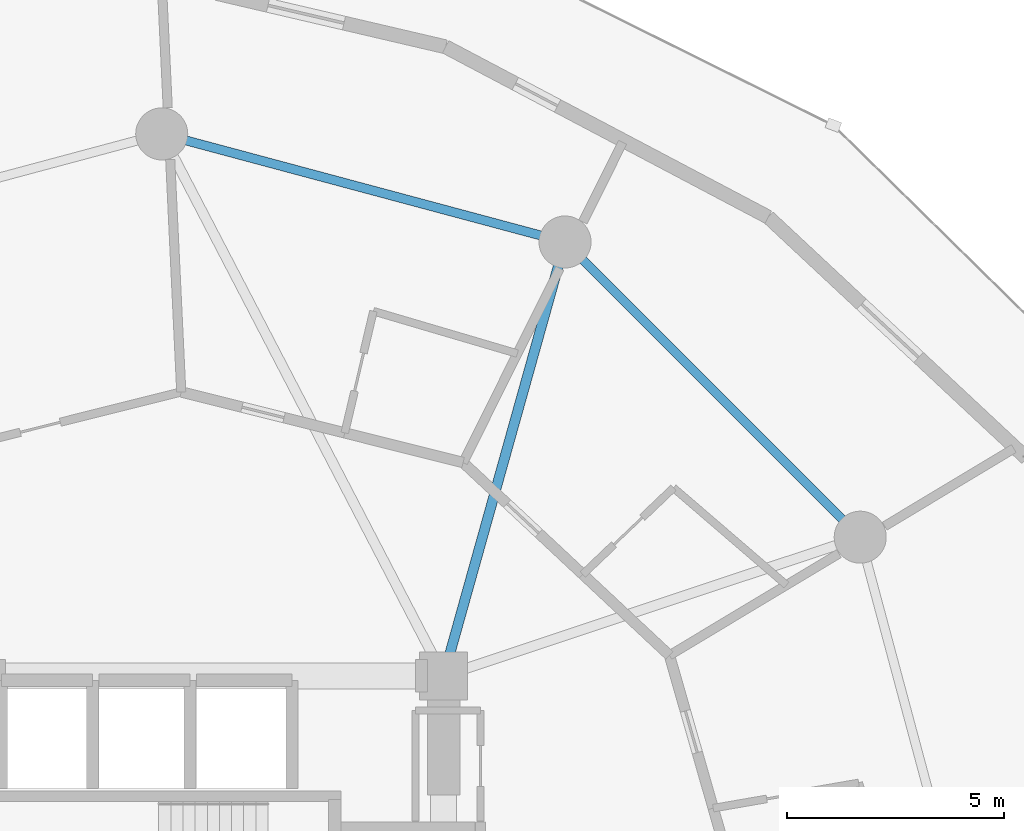
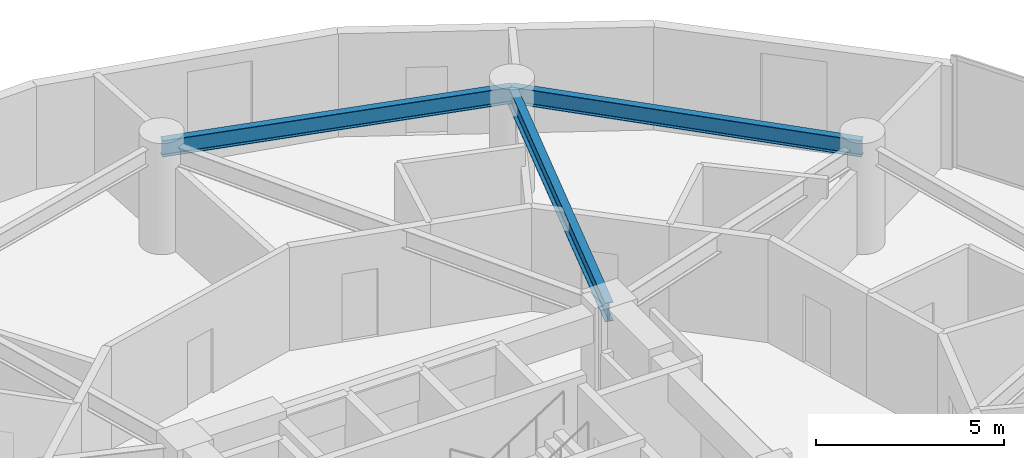
# One storey, part 15 of 23: 3 beams.
"""IFC4 building model written with IfcOpenShell, lengths in metres."""

from ifc_helpers import new_model, si_unit, direction, frame, origin, origin_2d, place, context, subcontext, project, spatial, i_section, extrude, material, material_profile, profile_set, type_object, element, save


model = new_model("IFC4")

# Units and contexts
model_context = context("Model", 3, precision=1e-05, world=origin(), true_north=direction((0.0, 1.0)))
body_context = subcontext(model_context, "Body", "Model", "MODEL_VIEW")
ifc_project = project(units=[si_unit("LENGTHUNIT", "METRE"), si_unit("AREAUNIT", "SQUARE_METRE"), si_unit("VOLUMEUNIT", "CUBIC_METRE"), si_unit("PLANEANGLEUNIT", "RADIAN"), si_unit("MASSUNIT", "GRAM", prefix="KILO")], contexts=[model_context])

# Site, building, storey
site_placement = place(None, origin())
site = spatial("IfcSite", under=ifc_project, at=site_placement, CompositionType="ELEMENT")
building_placement = place(site_placement, origin())
building = spatial("IfcBuilding", under=site, at=building_placement, Name="Solvirekh Grand Hotel", CompositionType="ELEMENT")
storey_placement = place(building_placement, frame((0.0, 0.0, 75.199951171875)))
storey = spatial("IfcBuildingStorey", under=building, at=storey_placement, Name="L18", CompositionType="ELEMENT", Elevation=75.199951171875)

# Beams
ifc_material = material(Name="Steel S355", Category="steel")
ifc_material_profile_1 = material_profile(ifc_material, i_section(OverallWidth=0.22998046875, OverallDepth=0.615966796875, WebThickness=0.013916015625, FlangeThickness=0.02392578125, FilletRadius=0.014892578125, at=origin_2d()), Name="W610X174")
ifc_profile_set_1 = profile_set([ifc_material_profile_1], Name="Steel S355")
beam_type_1 = type_object("IfcBeamType", Name="Beam_Primary_W610H", PredefinedType="BEAM", material=ifc_profile_set_1)
beam_1_placement = place(storey_placement, frame((6.5, 6.10009765625, 3.031982421875), z_axis=(0.269439084681, 0.963017434757, 0.0), x_axis=(-0.963017434757, 0.269439084681, 0.0)))
element("IfcBeam", 1, at=beam_1_placement, inside=storey, type_object=beam_type_1, Name="L18 radial floor beam R03", PredefinedType="BEAM", context=body_context, shape_type="SweptSolid", body=[
    extrude(i_section(OverallWidth=0.22998046875, OverallDepth=0.615966796875, WebThickness=0.013916015625, FlangeThickness=0.02392578125, FilletRadius=0.014892578125, at=origin_2d()), origin(), (0.0, 0.0, 1.0), 10.39208984375),
])
ifc_material_profile_2 = material_profile(ifc_material, i_section(OverallWidth=0.208984375, OverallDepth=0.532958984375, WebThickness=0.010009765625, FlangeThickness=0.014892578125, FilletRadius=0.013916015625, at=origin_2d()), Name="W530X92")
ifc_profile_set_2 = profile_set([ifc_material_profile_2], Name="Steel S355")
beam_type_2 = type_object("IfcBeamType", Name="Spandrel_Ring_W530", PredefinedType="SPANDREL", material=ifc_profile_set_2)
beam_2_placement = place(storey_placement, frame((16.10791015625, 9.300048828125, 3.073974609375), z_axis=(-0.707106781187, 0.707106781187, 0.0), x_axis=(-0.707106781187, -0.707106781187, 0.0)))
element("IfcBeam", 2, at=beam_2_placement, inside=storey, type_object=beam_type_2, Name="L18 perimeter spandrel beam 2", PredefinedType="SPANDREL", context=body_context, shape_type="SweptSolid", body=[
    extrude(i_section(OverallWidth=0.208984375, OverallDepth=0.532958984375, WebThickness=0.010009765625, FlangeThickness=0.014892578125, FilletRadius=0.013916015625, at=origin_2d()), origin(), (0.0, 0.0, 1.0), 9.627685546875),
])
beam_3_placement = place(storey_placement, frame((9.300048828125, 16.10791015625, 3.073974609375), z_axis=(-0.965919414426, 0.258842973314, 0.0), x_axis=(-0.258842973314, -0.965919414426, 0.0)))
element("IfcBeam", 3, at=beam_3_placement, inside=storey, type_object=beam_type_2, Name="L18 perimeter spandrel beam 3", PredefinedType="SPANDREL", context=body_context, shape_type="SweptSolid", body=[
    extrude(i_section(OverallWidth=0.208984375, OverallDepth=0.532958984375, WebThickness=0.010009765625, FlangeThickness=0.014892578125, FilletRadius=0.013916015625, at=origin_2d()), origin(), (0.0, 0.0, 1.0), 9.628173828125),
])

save(model, "model.ifc")
